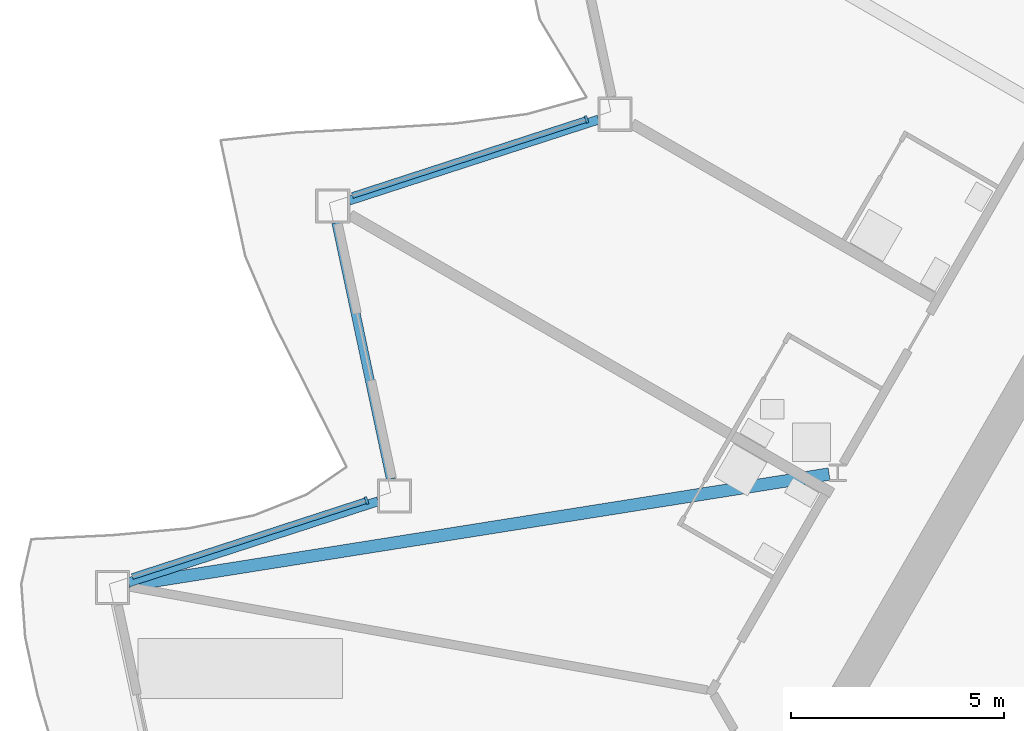
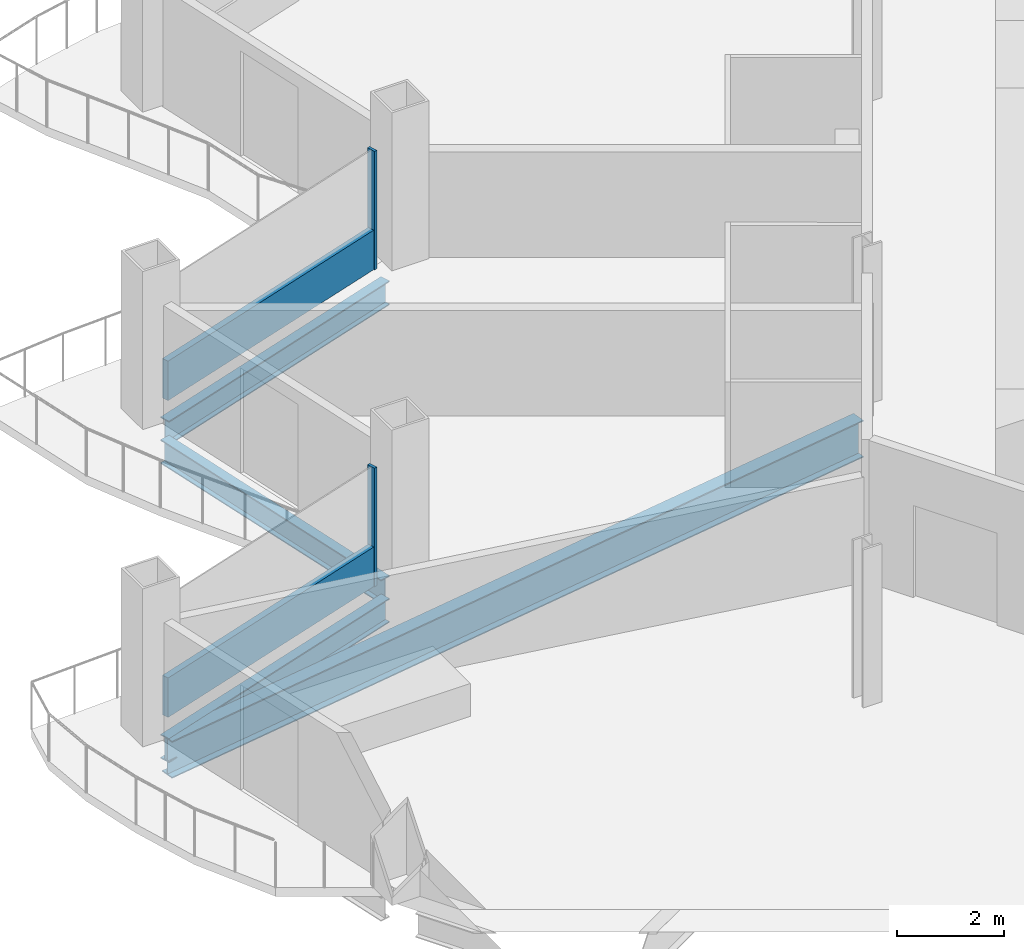
# One storey, part 5 of 23: 4 beams, 4 members, 2 elements without a shape of their own.
"""IFC4 building model written with IfcOpenShell, lengths in metres."""

from ifc_helpers import new_model, si_unit, direction, frame, origin, origin_2d, place, context, subcontext, project, spatial, rectangle, i_section, extrude, material, layer, layer_set, material_profile, profile_set, type_object, element, aggregate, save


model = new_model("IFC4")

# Units and contexts
model_context = context("Model", 3, precision=1e-05, world=origin(), true_north=direction((0.0, 1.0)))
body_context = subcontext(model_context, "Body", "Model", "MODEL_VIEW")
ifc_project = project(units=[si_unit("LENGTHUNIT", "METRE"), si_unit("AREAUNIT", "SQUARE_METRE"), si_unit("VOLUMEUNIT", "CUBIC_METRE"), si_unit("PLANEANGLEUNIT", "RADIAN"), si_unit("MASSUNIT", "GRAM", prefix="KILO")], contexts=[model_context])

# Site, building, storey
site_placement = place(None, origin())
site = spatial("IfcSite", under=ifc_project, at=site_placement, CompositionType="ELEMENT")
building_placement = place(site_placement, origin())
building = spatial("IfcBuilding", under=site, at=building_placement, Name="Cormorant Prow Tower", CompositionType="ELEMENT")
storey_placement = place(building_placement, frame((0.0, 0.0, 208.800048828125)))
storey = spatial("IfcBuildingStorey", under=building, at=storey_placement, Name="L46", CompositionType="ELEMENT", Elevation=208.800048828125)

# Curtain wall, member
ifc_material_1 = material(Name="Aluminium 6063-T6", Category="aluminium")
ifc_layer = layer(ifc_material_1, 0.179931640625)
ifc_layer_set = layer_set([ifc_layer], Name="Aluminium 6063-T6")
curtain_wall_type = type_object("IfcCurtainWallType", Name="Hotel unitised curtain wall 180", PredefinedType="NOTDEFINED", material=ifc_layer_set)
curtain_wall_1_placement = place(storey_placement, origin())
curtain_wall_1 = element("IfcCurtainWall", 1, at=curtain_wall_1_placement, inside=storey, type_object=curtain_wall_type, Name="Hotel curtain wall WNW06", PredefinedType="NOTDEFINED")
ifc_material_2 = material(Name="Aluminium 6063-T6", Category="aluminium")
ifc_material_profile_1 = material_profile(ifc_material_2, rectangle(XDim=0.179931640625, YDim=0.06005859375, at=origin_2d()), Name="Hotel mullion 60x180")
ifc_profile_set_1 = profile_set([ifc_material_profile_1], Name="Aluminium 6063-T6")
member_type_1 = type_object("IfcMemberType", Name="Hotel mullion 60x180", PredefinedType="MULLION", material=ifc_profile_set_1)
member_1_placement = place(storey_placement, frame((-20.627197265625, 5.442626953125, 0.0), z_axis=(0.0, 0.0, 1.0), x_axis=(0.30901701685, -0.951056508993, 0.0)))
member_1 = element("IfcMember", 2, at=member_1_placement, type_object=member_type_1, Name="Hotel mullion WNW06", PredefinedType="MULLION", context=body_context, shape_type="SweptSolid", body=[
    extrude(rectangle(XDim=0.179931640625, YDim=0.06005859375, at=origin_2d()), origin(), (0.0, 0.0, 1.0), 2.700927734375),
])

curtain_wall_2_placement = place(storey_placement, origin())
curtain_wall_2 = element("IfcCurtainWall", 3, at=curtain_wall_2_placement, inside=storey, type_object=curtain_wall_type, Name="Hotel curtain wall WNW08", PredefinedType="NOTDEFINED")
member_2_placement = place(storey_placement, frame((-25.78271484375, -3.487060546875, 0.0), z_axis=(0.0, 0.0, 1.0), x_axis=(0.309016974489, -0.951056522756, 0.0)))
member_2 = element("IfcMember", 4, at=member_2_placement, type_object=member_type_1, Name="Hotel mullion WNW08", PredefinedType="MULLION", context=body_context, shape_type="SweptSolid", body=[
    extrude(rectangle(XDim=0.179931640625, YDim=0.06005859375, at=origin_2d()), origin(), (0.0, 0.0, 1.0), 2.700927734375),
])

# Member
ifc_material_3 = material(Name="Terracotta", Category="masonry")
ifc_material_profile_2 = material_profile(ifc_material_3, rectangle(XDim=0.139892578125, YDim=0.89990234375, at=origin_2d()), Name="Hotel terracotta spandrel rail 140x900")
ifc_profile_set_2 = profile_set([ifc_material_profile_2], Name="Terracotta")
member_type_2 = type_object("IfcMemberType", Name="Hotel terracotta spandrel rail 140x900", PredefinedType="USERDEFINED", material=ifc_profile_set_2)
member_3_placement = place(storey_placement, frame((-20.65576171875, 5.43359375, 0.449951171875), z_axis=(-0.951045942446, -0.309049535442, 0.0), x_axis=(0.309049535442, -0.951045942446, 0.0)))
member_3 = element("IfcMember", 5, at=member_3_placement, type_object=member_type_2, Name="Hotel spandrel rail WNW06", ObjectType="TRANSOM", PredefinedType="USERDEFINED", context=body_context, shape_type="SweptSolid", body=[
    extrude(rectangle(XDim=0.139892578125, YDim=0.89990234375, at=origin_2d()), origin(), (0.0, 0.0, 1.0), 5.741455078125),
])

aggregate(curtain_wall_1, [member_1, member_3])

member_4_placement = place(storey_placement, frame((-25.811279296875, -3.496337890625, 0.449951171875), z_axis=(-0.951062500034, -0.308998577715, 0.0), x_axis=(0.308998577715, -0.951062500034, 0.0)))
member_4 = element("IfcMember", 6, at=member_4_placement, type_object=member_type_2, Name="Hotel spandrel rail WNW08", ObjectType="TRANSOM", PredefinedType="USERDEFINED", context=body_context, shape_type="SweptSolid", body=[
    extrude(rectangle(XDim=0.139892578125, YDim=0.89990234375, at=origin_2d()), origin(), (0.0, 0.0, 1.0), 5.74169921875),
])

aggregate(curtain_wall_2, [member_2, member_4])

# Beams
ifc_material_4 = material(Name="Structural steel ASTM A992 Gr 50", Category="steel")
ifc_material_profile_3 = material_profile(ifc_material_4, i_section(OverallWidth=0.29296875, OverallDepth=0.845703125, WebThickness=0.015380859375, FlangeThickness=0.0244140625, at=origin_2d()), Name="W33x141")
ifc_profile_set_3 = profile_set([ifc_material_profile_3], Name="Structural steel ASTM A992 Gr 50")
beam_type_1 = type_object("IfcBeamType", Name="Radial floor beam W33x141", PredefinedType="BEAM", material=ifc_profile_set_3)
beam_1_placement = place(storey_placement, frame((-14.94384765625, -2.869140625, -0.77294921875), z_axis=(-0.987678058302, -0.156499371084, 0.0), x_axis=(0.156499371084, -0.987678058302, 0.0)))
element("IfcBeam", 7, at=beam_1_placement, inside=storey, type_object=beam_type_1, Name="Radial floor beam FB2 4 L46", PredefinedType="BEAM", context=body_context, shape_type="SweptSolid", body=[
    extrude(i_section(OverallWidth=0.29296875, OverallDepth=0.845703125, WebThickness=0.015380859375, FlangeThickness=0.0244140625, at=origin_2d()), origin(), (0.0, 0.0, 1.0), 16.604736328125),
])
ifc_material_5 = material(Name="Structural steel ASTM A992 Gr 50", Category="steel")
ifc_material_profile_4 = material_profile(ifc_material_5, i_section(OverallWidth=0.2138671875, OverallDepth=0.549072265625, WebThickness=0.0146484375, FlangeThickness=0.023681640625, at=origin_2d()), Name="W21x93")
ifc_profile_set_4 = profile_set([ifc_material_profile_4], Name="Structural steel ASTM A992 Gr 50")
beam_type_2 = type_object("IfcBeamType", Name="Spandrel beam W21x93", PredefinedType="SPANDREL", material=ifc_profile_set_4)
beam_2_placement = place(storey_placement, frame((-20.344970703125, 5.439208984375, -0.62451171875), z_axis=(-0.951057696564, -0.309013361859, 0.0), x_axis=(0.309013361859, -0.951057696564, 0.0)))
element("IfcBeam", 8, at=beam_2_placement, inside=storey, type_object=beam_type_2, Name="Spandrel beam SB2 WNW06-WNW07 L46", PredefinedType="SPANDREL", context=body_context, shape_type="SweptSolid", body=[
    extrude(i_section(OverallWidth=0.2138671875, OverallDepth=0.549072265625, WebThickness=0.0146484375, FlangeThickness=0.023681640625, at=origin_2d()), origin(), (0.0, 0.0, 1.0), 6.14990234375),
])
beam_3_placement = place(storey_placement, frame((-26.490966796875, 3.02392578125, -0.62451171875), z_axis=(0.207904811195, -0.978149063018, 0.0), x_axis=(0.978149063018, 0.207904811195, 0.0)))
element("IfcBeam", 9, at=beam_3_placement, inside=storey, type_object=beam_type_2, Name="Spandrel beam SB2 WNW07-WNW08 L46", PredefinedType="SPANDREL", context=body_context, shape_type="SweptSolid", body=[
    extrude(i_section(OverallWidth=0.2138671875, OverallDepth=0.549072265625, WebThickness=0.0146484375, FlangeThickness=0.023681640625, at=origin_2d()), origin(), (0.0, 0.0, 1.0), 6.149658203125),
])
beam_4_placement = place(storey_placement, frame((-25.509765625, -3.50634765625, -0.62451171875), z_axis=(-0.951057696564, -0.309013361859, 0.0), x_axis=(0.309013361859, -0.951057696564, 0.0)))
element("IfcBeam", 10, at=beam_4_placement, inside=storey, type_object=beam_type_2, Name="Spandrel beam SB2 WNW08-WNW09 L46", PredefinedType="SPANDREL", context=body_context, shape_type="SweptSolid", body=[
    extrude(i_section(OverallWidth=0.2138671875, OverallDepth=0.549072265625, WebThickness=0.0146484375, FlangeThickness=0.023681640625, at=origin_2d()), origin(), (0.0, 0.0, 1.0), 6.14990234375),
])

save(model, "model.ifc")
